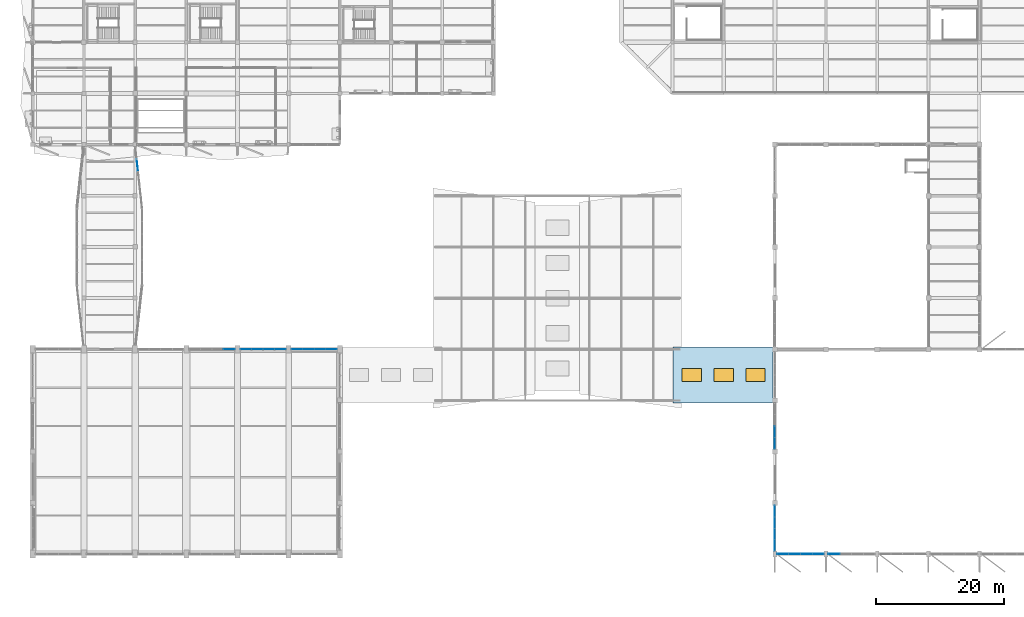
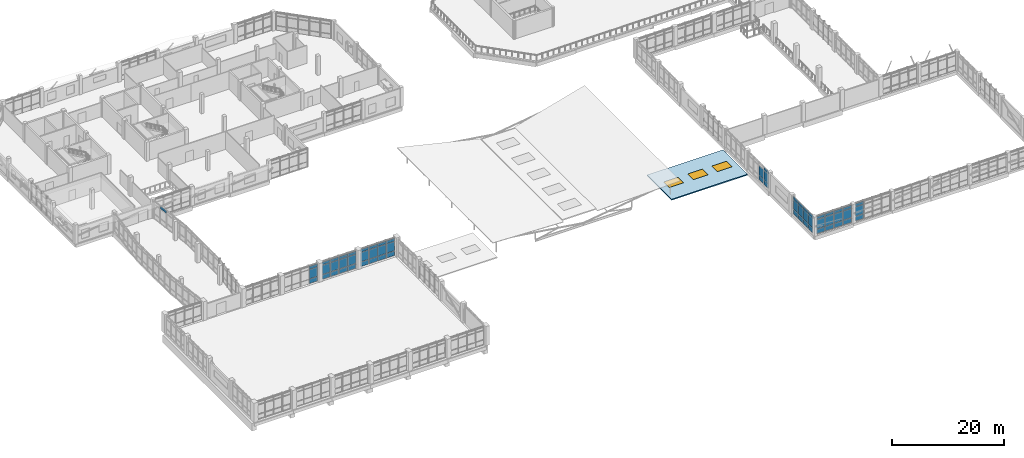
# One storey, part 56 of 84: 60 plates, 3 windows, 1 slab, 3 openings, 8 elements without a shape of their own.
"""IFC4 building model written with IfcOpenShell, lengths in metres."""

from ifc_helpers import new_model, si_unit, direction, frame, origin, origin_2d, place, context, subcontext, project, spatial, polyline, rectangle, outline, extrude, material, layer, layer_set, type_object, element, fill, aggregate, save


model = new_model("IFC4")

# Units and contexts
model_context = context("Model", 3, precision=1e-05, world=origin(), true_north=direction((0.0, 1.0)))
body_context = subcontext(model_context, "Body", "Model", "MODEL_VIEW")
ifc_project = project(units=[si_unit("LENGTHUNIT", "METRE"), si_unit("AREAUNIT", "SQUARE_METRE"), si_unit("VOLUMEUNIT", "CUBIC_METRE"), si_unit("PLANEANGLEUNIT", "RADIAN"), si_unit("MASSUNIT", "GRAM", prefix="KILO")], contexts=[model_context])

# Site, building, storey
site_placement = place(None, origin())
site = spatial("IfcSite", under=ifc_project, at=site_placement, CompositionType="ELEMENT")
building_placement = place(site_placement, origin())
building = spatial("IfcBuilding", under=site, at=building_placement, Name="Tenunan Teduh Sports Hall", CompositionType="ELEMENT")
storey_placement = place(building_placement, frame((0.0, 0.0, 10.800048828125)))
storey = spatial("IfcBuildingStorey", under=building, at=storey_placement, Name="L02", CompositionType="ELEMENT", Elevation=10.800048828125)

# Curtain wall, plates
ifc_material_1 = material(Name="Anodised aluminium", Category="aluminium")
curtain_wall_type_1 = type_object("IfcCurtainWallType", Name="CW-CLER-1", PredefinedType="NOTDEFINED", material=ifc_material_1)
curtain_wall_1_placement = place(storey_placement, origin())
curtain_wall_1 = element("IfcCurtainWall", 1, at=curtain_wall_1_placement, inside=storey, type_object=curtain_wall_type_1, Name="CW-CWM-200-L02-020", PredefinedType="NOTDEFINED")
ifc_material_2 = material(Name="Low-E laminated double glazing", Category="glass")
ifc_layer_1 = layer(ifc_material_2, 0.028076171875)
ifc_layer_set_1 = layer_set([ifc_layer_1], Name="Low-E laminated double glazing")
plate_type_1 = type_object("IfcPlateType", Name="CWP-GLZ-28", PredefinedType="CURTAIN_PANEL", material=ifc_layer_set_1)
plate_1_placement = place(storey_placement, frame((123.242431640625, 14.0, 1.134765625), z_axis=(0.0, 0.0, 1.0), x_axis=(1.0, 0.0, 0.0)))
plate_1 = element("IfcPlate", 2, at=plate_1_placement, type_object=plate_type_1, Name="CW-03 panel 1.2", PredefinedType="CURTAIN_PANEL", context=body_context, shape_type="SweptSolid", body=[
    extrude(rectangle(XDim=1.7451171875, YDim=0.028076171875, at=origin_2d()), origin(), (0.0, 0.0, 1.0), 2.030029296875),
])
plate_2_placement = place(storey_placement, frame((123.242431640625, 14.0, 3.23486328125), z_axis=(0.0, 0.0, 1.0), x_axis=(1.0, 0.0, 0.0)))
plate_2 = element("IfcPlate", 3, at=plate_2_placement, type_object=plate_type_1, Name="CW-03 panel 1.3", PredefinedType="CURTAIN_PANEL", context=body_context, shape_type="SweptSolid", body=[
    extrude(rectangle(XDim=1.7451171875, YDim=0.028076171875, at=origin_2d()), origin(), (0.0, 0.0, 1.0), 0.614990234375),
])
plate_3_placement = place(storey_placement, frame((125.074951171875, 14.0, 1.134765625), z_axis=(0.0, 0.0, 1.0), x_axis=(1.0, 0.0, 0.0)))
plate_3 = element("IfcPlate", 4, at=plate_3_placement, type_object=plate_type_1, Name="CW-03 panel 2.2", PredefinedType="CURTAIN_PANEL", context=body_context, shape_type="SweptSolid", body=[
    extrude(rectangle(XDim=1.780029296875, YDim=0.028076171875, at=origin_2d()), origin(), (0.0, 0.0, 1.0), 2.030029296875),
])
plate_4_placement = place(storey_placement, frame((125.074951171875, 14.0, 3.23486328125), z_axis=(0.0, 0.0, 1.0), x_axis=(1.0, 0.0, 0.0)))
plate_4 = element("IfcPlate", 5, at=plate_4_placement, type_object=plate_type_1, Name="CW-03 panel 2.3", PredefinedType="CURTAIN_PANEL", context=body_context, shape_type="SweptSolid", body=[
    extrude(rectangle(XDim=1.780029296875, YDim=0.028076171875, at=origin_2d()), origin(), (0.0, 0.0, 1.0), 0.614990234375),
])
plate_5_placement = place(storey_placement, frame((126.925048828125, 14.0, 1.134765625), z_axis=(0.0, 0.0, 1.0), x_axis=(1.0, 0.0, 0.0)))
plate_5 = element("IfcPlate", 6, at=plate_5_placement, type_object=plate_type_1, Name="CW-03 panel 3.2", PredefinedType="CURTAIN_PANEL", context=body_context, shape_type="SweptSolid", body=[
    extrude(rectangle(XDim=1.780029296875, YDim=0.028076171875, at=origin_2d()), origin(), (0.0, 0.0, 1.0), 2.030029296875),
])
plate_6_placement = place(storey_placement, frame((126.925048828125, 14.0, 3.23486328125), z_axis=(0.0, 0.0, 1.0), x_axis=(1.0, 0.0, 0.0)))
plate_6 = element("IfcPlate", 7, at=plate_6_placement, type_object=plate_type_1, Name="CW-03 panel 3.3", PredefinedType="CURTAIN_PANEL", context=body_context, shape_type="SweptSolid", body=[
    extrude(rectangle(XDim=1.780029296875, YDim=0.028076171875, at=origin_2d()), origin(), (0.0, 0.0, 1.0), 0.614990234375),
])
plate_7_placement = place(storey_placement, frame((128.757568359375, 14.0, 1.134765625), z_axis=(0.0, 0.0, 1.0), x_axis=(1.0, 0.0, 0.0)))
plate_7 = element("IfcPlate", 8, at=plate_7_placement, type_object=plate_type_1, Name="CW-03 panel 4.2", PredefinedType="CURTAIN_PANEL", context=body_context, shape_type="SweptSolid", body=[
    extrude(rectangle(XDim=1.7451171875, YDim=0.028076171875, at=origin_2d()), origin(), (0.0, 0.0, 1.0), 2.030029296875),
])
plate_8_placement = place(storey_placement, frame((128.757568359375, 14.0, 3.23486328125), z_axis=(0.0, 0.0, 1.0), x_axis=(1.0, 0.0, 0.0)))
plate_8 = element("IfcPlate", 9, at=plate_8_placement, type_object=plate_type_1, Name="CW-03 panel 4.3", PredefinedType="CURTAIN_PANEL", context=body_context, shape_type="SweptSolid", body=[
    extrude(rectangle(XDim=1.7451171875, YDim=0.028076171875, at=origin_2d()), origin(), (0.0, 0.0, 1.0), 0.614990234375),
])

ifc_material_3 = material(Name="Anodised aluminium", Category="aluminium")
curtain_wall_type_2 = type_object("IfcCurtainWallType", Name="CW-UNIT-2", PredefinedType="NOTDEFINED", material=ifc_material_3)
curtain_wall_2_placement = place(storey_placement, origin())
curtain_wall_2 = element("IfcCurtainWall", 10, at=curtain_wall_2_placement, inside=storey, type_object=curtain_wall_type_2, Name="CW-CWM-200-L02-028", PredefinedType="NOTDEFINED")
plate_9_placement = place(storey_placement, frame((122.0, 15.361328125, 1.134765625), z_axis=(0.0, 0.0, 1.0), x_axis=(0.0, 1.0, 0.0)))
plate_9 = element("IfcPlate", 11, at=plate_9_placement, type_object=plate_type_1, Name="CW-02 panel 1.2", PredefinedType="CURTAIN_PANEL", context=body_context, shape_type="SweptSolid", body=[
    extrude(rectangle(XDim=1.6826171875, YDim=0.028076171875, at=origin_2d()), origin(), (0.0, 0.0, 1.0), 2.030029296875),
])
plate_10_placement = place(storey_placement, frame((122.0, 15.361328125, 3.23486328125), z_axis=(0.0, 0.0, 1.0), x_axis=(0.0, 1.0, 0.0)))
plate_10 = element("IfcPlate", 12, at=plate_10_placement, type_object=plate_type_1, Name="CW-02 panel 1.3", PredefinedType="CURTAIN_PANEL", context=body_context, shape_type="SweptSolid", body=[
    extrude(rectangle(XDim=1.6826171875, YDim=0.028076171875, at=origin_2d()), origin(), (0.0, 0.0, 1.0), 0.614990234375),
])
plate_11_placement = place(storey_placement, frame((122.0, 17.13134765625, 1.134765625), z_axis=(0.0, 0.0, 1.0), x_axis=(0.0, 1.0, 0.0)))
plate_11 = element("IfcPlate", 13, at=plate_11_placement, type_object=plate_type_1, Name="CW-02 panel 2.2", PredefinedType="CURTAIN_PANEL", context=body_context, shape_type="SweptSolid", body=[
    extrude(rectangle(XDim=1.717529296875, YDim=0.028076171875, at=origin_2d()), origin(), (0.0, 0.0, 1.0), 2.030029296875),
])
plate_12_placement = place(storey_placement, frame((122.0, 17.13134765625, 3.23486328125), z_axis=(0.0, 0.0, 1.0), x_axis=(0.0, 1.0, 0.0)))
plate_12 = element("IfcPlate", 14, at=plate_12_placement, type_object=plate_type_1, Name="CW-02 panel 2.3", PredefinedType="CURTAIN_PANEL", context=body_context, shape_type="SweptSolid", body=[
    extrude(rectangle(XDim=1.717529296875, YDim=0.028076171875, at=origin_2d()), origin(), (0.0, 0.0, 1.0), 0.614990234375),
])
plate_13_placement = place(storey_placement, frame((122.0, 18.918701171875, 1.134765625), z_axis=(0.0, 0.0, 1.0), x_axis=(0.0, 1.0, 0.0)))
plate_13 = element("IfcPlate", 15, at=plate_13_placement, type_object=plate_type_1, Name="CW-02 panel 3.2", PredefinedType="CURTAIN_PANEL", context=body_context, shape_type="SweptSolid", body=[
    extrude(rectangle(XDim=1.717529296875, YDim=0.028076171875, at=origin_2d()), origin(), (0.0, 0.0, 1.0), 2.030029296875),
])
plate_14_placement = place(storey_placement, frame((122.0, 18.918701171875, 3.23486328125), z_axis=(0.0, 0.0, 1.0), x_axis=(0.0, 1.0, 0.0)))
plate_14 = element("IfcPlate", 16, at=plate_14_placement, type_object=plate_type_1, Name="CW-02 panel 3.3", PredefinedType="CURTAIN_PANEL", context=body_context, shape_type="SweptSolid", body=[
    extrude(rectangle(XDim=1.717529296875, YDim=0.028076171875, at=origin_2d()), origin(), (0.0, 0.0, 1.0), 0.614990234375),
])
plate_15_placement = place(storey_placement, frame((122.0, 20.688720703125, 1.134765625), z_axis=(0.0, 0.0, 1.0), x_axis=(0.0, 1.0, 0.0)))
plate_15 = element("IfcPlate", 17, at=plate_15_placement, type_object=plate_type_1, Name="CW-02 panel 4.2", PredefinedType="CURTAIN_PANEL", context=body_context, shape_type="SweptSolid", body=[
    extrude(rectangle(XDim=1.6826171875, YDim=0.028076171875, at=origin_2d()), origin(), (0.0, 0.0, 1.0), 2.030029296875),
])
plate_16_placement = place(storey_placement, frame((122.0, 20.688720703125, 3.23486328125), z_axis=(0.0, 0.0, 1.0), x_axis=(0.0, 1.0, 0.0)))
plate_16 = element("IfcPlate", 18, at=plate_16_placement, type_object=plate_type_1, Name="CW-02 panel 4.3", PredefinedType="CURTAIN_PANEL", context=body_context, shape_type="SweptSolid", body=[
    extrude(rectangle(XDim=1.6826171875, YDim=0.028076171875, at=origin_2d()), origin(), (0.0, 0.0, 1.0), 0.614990234375),
])

curtain_wall_3_placement = place(storey_placement, origin())
curtain_wall_3 = element("IfcCurtainWall", 19, at=curtain_wall_3_placement, inside=storey, type_object=curtain_wall_type_2, Name="CW-CWM-175-L02-030", PredefinedType="NOTDEFINED")
plate_17_placement = place(storey_placement, frame((122.0, 31.316162109375, 1.13232421875), z_axis=(0.0, 0.0, 1.0), x_axis=(0.0, 1.0, 0.0)))
plate_17 = element("IfcPlate", 20, at=plate_17_placement, type_object=plate_type_1, Name="CW-02 panel 1.2", PredefinedType="CURTAIN_PANEL", context=body_context, shape_type="SweptSolid", body=[
    extrude(rectangle(XDim=1.702392578125, YDim=0.028076171875, at=origin_2d()), origin(), (0.0, 0.0, 1.0), 2.034912109375),
])
plate_18_placement = place(storey_placement, frame((122.0, 31.316162109375, 3.232421875), z_axis=(0.0, 0.0, 1.0), x_axis=(0.0, 1.0, 0.0)))
plate_18 = element("IfcPlate", 21, at=plate_18_placement, type_object=plate_type_1, Name="CW-02 panel 1.3", PredefinedType="CURTAIN_PANEL", context=body_context, shape_type="SweptSolid", body=[
    extrude(rectangle(XDim=1.702392578125, YDim=0.028076171875, at=origin_2d()), origin(), (0.0, 0.0, 1.0), 0.62255859375),
])
plate_19_placement = place(storey_placement, frame((122.0, 33.10009765625, 1.13232421875), z_axis=(0.0, 0.0, 1.0), x_axis=(0.0, 1.0, 0.0)))
plate_19 = element("IfcPlate", 22, at=plate_19_placement, type_object=plate_type_1, Name="CW-02 panel 2.2", PredefinedType="CURTAIN_PANEL", context=body_context, shape_type="SweptSolid", body=[
    extrude(rectangle(XDim=1.735107421875, YDim=0.028076171875, at=origin_2d()), origin(), (0.0, 0.0, 1.0), 2.034912109375),
])

curtain_wall_4_placement = place(storey_placement, origin())
curtain_wall_4 = element("IfcCurtainWall", 23, at=curtain_wall_4_placement, inside=storey, type_object=curtain_wall_type_1, Name="CW-CWM-220-L02-021", PredefinedType="NOTDEFINED")
ifc_material_4 = material(Name="Solar-control laminated glazing", Category="glass")
ifc_layer_2 = layer(ifc_material_4, 0.031982421875)
ifc_layer_set_2 = layer_set([ifc_layer_2], Name="Solar-control laminated glazing")
plate_type_2 = type_object("IfcPlateType", Name="CWP-GLZ-32", PredefinedType="CURTAIN_PANEL", material=ifc_layer_set_2)
plate_20_placement = place(storey_placement, frame((131.24365234375, 14.0, 1.137451171875), z_axis=(0.0, 0.0, 1.0), x_axis=(1.0, 0.0, 0.0)))
plate_20 = element("IfcPlate", 24, at=plate_20_placement, type_object=plate_type_2, Name="CW-03 panel 1.2", PredefinedType="CURTAIN_PANEL", context=body_context, shape_type="SweptSolid", body=[
    extrude(rectangle(XDim=1.737548828125, YDim=0.031982421875, at=origin_2d()), origin(), (0.0, 0.0, 1.0), 2.02490234375),
])
plate_21_placement = place(storey_placement, frame((131.24365234375, 14.0, 3.237548828125), z_axis=(0.0, 0.0, 1.0), x_axis=(1.0, 0.0, 0.0)))
plate_21 = element("IfcPlate", 25, at=plate_21_placement, type_object=plate_type_2, Name="CW-03 panel 1.3", PredefinedType="CURTAIN_PANEL", context=body_context, shape_type="SweptSolid", body=[
    extrude(rectangle(XDim=1.737548828125, YDim=0.031982421875, at=origin_2d()), origin(), (0.0, 0.0, 1.0), 0.607421875),
])

curtain_wall_5_placement = place(storey_placement, origin())
curtain_wall_5 = element("IfcCurtainWall", 26, at=curtain_wall_5_placement, inside=storey, type_object=curtain_wall_type_2, Name="CW-CWM-150-L02-063", PredefinedType="NOTDEFINED")
plate_22_placement = place(storey_placement, frame((36.68505859375, 46.0, 1.1298828125), z_axis=(0.0, 0.0, 1.0), x_axis=(1.0, 0.0, 0.0)))
plate_22 = element("IfcPlate", 27, at=plate_22_placement, type_object=plate_type_2, Name="CW-02 panel 4.2", PredefinedType="CURTAIN_PANEL", context=body_context, shape_type="SweptSolid", body=[
    extrude(rectangle(XDim=1.7099609375, YDim=0.031982421875, at=origin_2d()), origin(), (0.0, 0.0, 1.0), 2.0400390625),
])
plate_23_placement = place(storey_placement, frame((36.68505859375, 46.0, 3.22998046875), z_axis=(0.0, 0.0, 1.0), x_axis=(1.0, 0.0, 0.0)))
plate_23 = element("IfcPlate", 28, at=plate_23_placement, type_object=plate_type_2, Name="CW-02 panel 4.3", PredefinedType="CURTAIN_PANEL", context=body_context, shape_type="SweptSolid", body=[
    extrude(rectangle(XDim=1.7099609375, YDim=0.031982421875, at=origin_2d()), origin(), (0.0, 0.0, 1.0), 0.610107421875),
])

curtain_wall_6_placement = place(storey_placement, origin())
curtain_wall_6 = element("IfcCurtainWall", 29, at=curtain_wall_6_placement, inside=storey, type_object=curtain_wall_type_2, Name="CW-CWM-220-L02-065", PredefinedType="NOTDEFINED")
plate_24_placement = place(storey_placement, frame((39.31884765625, 46.0, 1.137451171875), z_axis=(0.0, 0.0, 1.0), x_axis=(1.0, 0.0, 0.0)))
plate_24 = element("IfcPlate", 30, at=plate_24_placement, type_object=plate_type_2, Name="CW-02 panel 1.2", PredefinedType="CURTAIN_PANEL", context=body_context, shape_type="SweptSolid", body=[
    extrude(rectangle(XDim=1.6875, YDim=0.031982421875, at=origin_2d()), origin(), (0.0, 0.0, 1.0), 2.02490234375),
])
plate_25_placement = place(storey_placement, frame((39.31884765625, 46.0, 3.237548828125), z_axis=(0.0, 0.0, 1.0), x_axis=(1.0, 0.0, 0.0)))
plate_25 = element("IfcPlate", 31, at=plate_25_placement, type_object=plate_type_2, Name="CW-02 panel 1.3", PredefinedType="CURTAIN_PANEL", context=body_context, shape_type="SweptSolid", body=[
    extrude(rectangle(XDim=1.6875, YDim=0.031982421875, at=origin_2d()), origin(), (0.0, 0.0, 1.0), 0.58740234375),
])
plate_26_placement = place(storey_placement, frame((41.10009765625, 46.0, 1.137451171875), z_axis=(0.0, 0.0, 1.0), x_axis=(1.0, 0.0, 0.0)))
plate_26 = element("IfcPlate", 32, at=plate_26_placement, type_object=plate_type_2, Name="CW-02 panel 2.2", PredefinedType="CURTAIN_PANEL", context=body_context, shape_type="SweptSolid", body=[
    extrude(rectangle(XDim=1.72509765625, YDim=0.031982421875, at=origin_2d()), origin(), (0.0, 0.0, 1.0), 2.02490234375),
])
plate_27_placement = place(storey_placement, frame((41.10009765625, 46.0, 3.237548828125), z_axis=(0.0, 0.0, 1.0), x_axis=(1.0, 0.0, 0.0)))
plate_27 = element("IfcPlate", 33, at=plate_27_placement, type_object=plate_type_2, Name="CW-02 panel 2.3", PredefinedType="CURTAIN_PANEL", context=body_context, shape_type="SweptSolid", body=[
    extrude(rectangle(XDim=1.72509765625, YDim=0.031982421875, at=origin_2d()), origin(), (0.0, 0.0, 1.0), 0.58740234375),
])
plate_28_placement = place(storey_placement, frame((42.89990234375, 46.0, 1.137451171875), z_axis=(0.0, 0.0, 1.0), x_axis=(1.0, 0.0, 0.0)))
plate_28 = element("IfcPlate", 34, at=plate_28_placement, type_object=plate_type_2, Name="CW-02 panel 3.2", PredefinedType="CURTAIN_PANEL", context=body_context, shape_type="SweptSolid", body=[
    extrude(rectangle(XDim=1.72509765625, YDim=0.031982421875, at=origin_2d()), origin(), (0.0, 0.0, 1.0), 2.02490234375),
])
plate_29_placement = place(storey_placement, frame((42.89990234375, 46.0, 3.237548828125), z_axis=(0.0, 0.0, 1.0), x_axis=(1.0, 0.0, 0.0)))
plate_29 = element("IfcPlate", 35, at=plate_29_placement, type_object=plate_type_2, Name="CW-02 panel 3.3", PredefinedType="CURTAIN_PANEL", context=body_context, shape_type="SweptSolid", body=[
    extrude(rectangle(XDim=1.72509765625, YDim=0.031982421875, at=origin_2d()), origin(), (0.0, 0.0, 1.0), 0.58740234375),
])
plate_30_placement = place(storey_placement, frame((44.68115234375, 46.0, 1.137451171875), z_axis=(0.0, 0.0, 1.0), x_axis=(1.0, 0.0, 0.0)))
plate_30 = element("IfcPlate", 36, at=plate_30_placement, type_object=plate_type_2, Name="CW-02 panel 4.2", PredefinedType="CURTAIN_PANEL", context=body_context, shape_type="SweptSolid", body=[
    extrude(rectangle(XDim=1.6875, YDim=0.031982421875, at=origin_2d()), origin(), (0.0, 0.0, 1.0), 2.02490234375),
])
plate_31_placement = place(storey_placement, frame((44.68115234375, 46.0, 3.237548828125), z_axis=(0.0, 0.0, 1.0), x_axis=(1.0, 0.0, 0.0)))
plate_31 = element("IfcPlate", 37, at=plate_31_placement, type_object=plate_type_2, Name="CW-02 panel 4.3", PredefinedType="CURTAIN_PANEL", context=body_context, shape_type="SweptSolid", body=[
    extrude(rectangle(XDim=1.6875, YDim=0.031982421875, at=origin_2d()), origin(), (0.0, 0.0, 1.0), 0.58740234375),
])

curtain_wall_7_placement = place(storey_placement, origin())
curtain_wall_7 = element("IfcCurtainWall", 38, at=curtain_wall_7_placement, inside=storey, type_object=curtain_wall_type_2, Name="CW-CWM-150-L02-067", PredefinedType="NOTDEFINED")
plate_32_placement = place(storey_placement, frame((47.31494140625, 46.0, 1.1298828125), z_axis=(0.0, 0.0, 1.0), x_axis=(1.0, 0.0, 0.0)))
plate_32 = element("IfcPlate", 39, at=plate_32_placement, type_object=plate_type_2, Name="CW-02 panel 1.2", PredefinedType="CURTAIN_PANEL", context=body_context, shape_type="SweptSolid", body=[
    extrude(rectangle(XDim=1.7099609375, YDim=0.031982421875, at=origin_2d()), origin(), (0.0, 0.0, 1.0), 2.0400390625),
])
plate_33_placement = place(storey_placement, frame((47.31494140625, 46.0, 3.22998046875), z_axis=(0.0, 0.0, 1.0), x_axis=(1.0, 0.0, 0.0)))
plate_33 = element("IfcPlate", 40, at=plate_33_placement, type_object=plate_type_2, Name="CW-02 panel 1.3", PredefinedType="CURTAIN_PANEL", context=body_context, shape_type="SweptSolid", body=[
    extrude(rectangle(XDim=1.7099609375, YDim=0.031982421875, at=origin_2d()), origin(), (0.0, 0.0, 1.0), 0.610107421875),
])
plate_34_placement = place(storey_placement, frame((49.10009765625, 46.0, 1.1298828125), z_axis=(0.0, 0.0, 1.0), x_axis=(1.0, 0.0, 0.0)))
plate_34 = element("IfcPlate", 41, at=plate_34_placement, type_object=plate_type_2, Name="CW-02 panel 2.2", PredefinedType="CURTAIN_PANEL", context=body_context, shape_type="SweptSolid", body=[
    extrude(rectangle(XDim=1.739990234375, YDim=0.031982421875, at=origin_2d()), origin(), (0.0, 0.0, 1.0), 2.0400390625),
])
plate_35_placement = place(storey_placement, frame((49.10009765625, 46.0, 3.22998046875), z_axis=(0.0, 0.0, 1.0), x_axis=(1.0, 0.0, 0.0)))
plate_35 = element("IfcPlate", 42, at=plate_35_placement, type_object=plate_type_2, Name="CW-02 panel 2.3", PredefinedType="CURTAIN_PANEL", context=body_context, shape_type="SweptSolid", body=[
    extrude(rectangle(XDim=1.739990234375, YDim=0.031982421875, at=origin_2d()), origin(), (0.0, 0.0, 1.0), 0.610107421875),
])
plate_36_placement = place(storey_placement, frame((50.89990234375, 46.0, 1.1298828125), z_axis=(0.0, 0.0, 1.0), x_axis=(1.0, 0.0, 0.0)))
plate_36 = element("IfcPlate", 43, at=plate_36_placement, type_object=plate_type_2, Name="CW-02 panel 3.2", PredefinedType="CURTAIN_PANEL", context=body_context, shape_type="SweptSolid", body=[
    extrude(rectangle(XDim=1.739990234375, YDim=0.031982421875, at=origin_2d()), origin(), (0.0, 0.0, 1.0), 2.0400390625),
])
plate_37_placement = place(storey_placement, frame((50.89990234375, 46.0, 3.22998046875), z_axis=(0.0, 0.0, 1.0), x_axis=(1.0, 0.0, 0.0)))
plate_37 = element("IfcPlate", 44, at=plate_37_placement, type_object=plate_type_2, Name="CW-02 panel 3.3", PredefinedType="CURTAIN_PANEL", context=body_context, shape_type="SweptSolid", body=[
    extrude(rectangle(XDim=1.739990234375, YDim=0.031982421875, at=origin_2d()), origin(), (0.0, 0.0, 1.0), 0.610107421875),
])
plate_38_placement = place(storey_placement, frame((52.68505859375, 46.0, 1.1298828125), z_axis=(0.0, 0.0, 1.0), x_axis=(1.0, 0.0, 0.0)))
plate_38 = element("IfcPlate", 45, at=plate_38_placement, type_object=plate_type_2, Name="CW-02 panel 4.2", PredefinedType="CURTAIN_PANEL", context=body_context, shape_type="SweptSolid", body=[
    extrude(rectangle(XDim=1.7099609375, YDim=0.031982421875, at=origin_2d()), origin(), (0.0, 0.0, 1.0), 2.0400390625),
])
plate_39_placement = place(storey_placement, frame((52.68505859375, 46.0, 3.22998046875), z_axis=(0.0, 0.0, 1.0), x_axis=(1.0, 0.0, 0.0)))
plate_39 = element("IfcPlate", 46, at=plate_39_placement, type_object=plate_type_2, Name="CW-02 panel 4.3", PredefinedType="CURTAIN_PANEL", context=body_context, shape_type="SweptSolid", body=[
    extrude(rectangle(XDim=1.7099609375, YDim=0.031982421875, at=origin_2d()), origin(), (0.0, 0.0, 1.0), 0.610107421875),
])

# Curtain wall, plate
ifc_material_5 = material(Name="Anodised aluminium", Category="aluminium")
curtain_wall_type_3 = type_object("IfcCurtainWallType", Name="CW-BRIDGE-1", PredefinedType="NOTDEFINED", material=ifc_material_5)
curtain_wall_8_placement = place(storey_placement, origin())
curtain_wall_8 = element("IfcCurtainWall", 47, at=curtain_wall_8_placement, inside=storey, type_object=curtain_wall_type_3, Name="CW-CWM-220-L02-189", PredefinedType="NOTDEFINED")
plate_40_placement = place(storey_placement, frame((22.356689453125, 74.758056640625, 3.237548828125), z_axis=(0.0, 0.0, 1.0), x_axis=(-0.109340987788, 0.994004299985, 0.0)))
plate_40 = element("IfcPlate", 48, at=plate_40_placement, type_object=plate_type_2, Name="CW-05 panel 4.3", PredefinedType="CURTAIN_PANEL", context=body_context, shape_type="SweptSolid", body=[
    extrude(rectangle(XDim=1.867431640625, YDim=0.031982421875, at=origin_2d()), origin(), (0.0, 0.0, 1.0), 0.5673828125),
])
aggregate(curtain_wall_8, [plate_40])

# Plate
ifc_material_6 = material(Name="Insulated aluminium spandrel panel", Category="aluminium")
ifc_layer_3 = layer(ifc_material_6, 0.044921875)
ifc_layer_set_3 = layer_set([ifc_layer_3], Name="Insulated aluminium spandrel panel")
plate_type_3 = type_object("IfcPlateType", Name="CWP-SPN-45", PredefinedType="CURTAIN_PANEL", material=ifc_layer_set_3)
plate_41_placement = place(storey_placement, frame((123.242431640625, 14.0, 0.06982421875), z_axis=(0.0, 0.0, 1.0), x_axis=(1.0, 0.0, 0.0)))
plate_41 = element("IfcPlate", 49, at=plate_41_placement, type_object=plate_type_3, Name="CW-03 panel 1.1", PredefinedType="CURTAIN_PANEL", context=body_context, shape_type="SweptSolid", body=[
    extrude(rectangle(XDim=1.7451171875, YDim=0.028076171875, at=origin_2d()), origin(), (0.0, 0.0, 1.0), 0.9951171875),
])

plate_42_placement = place(storey_placement, frame((125.074951171875, 14.0, 0.06982421875), z_axis=(0.0, 0.0, 1.0), x_axis=(1.0, 0.0, 0.0)))
plate_42 = element("IfcPlate", 50, at=plate_42_placement, type_object=plate_type_3, Name="CW-03 panel 2.1", PredefinedType="CURTAIN_PANEL", context=body_context, shape_type="SweptSolid", body=[
    extrude(rectangle(XDim=1.780029296875, YDim=0.028076171875, at=origin_2d()), origin(), (0.0, 0.0, 1.0), 0.9951171875),
])

plate_43_placement = place(storey_placement, frame((126.925048828125, 14.0, 0.06982421875), z_axis=(0.0, 0.0, 1.0), x_axis=(1.0, 0.0, 0.0)))
plate_43 = element("IfcPlate", 51, at=plate_43_placement, type_object=plate_type_3, Name="CW-03 panel 3.1", PredefinedType="CURTAIN_PANEL", context=body_context, shape_type="SweptSolid", body=[
    extrude(rectangle(XDim=1.780029296875, YDim=0.028076171875, at=origin_2d()), origin(), (0.0, 0.0, 1.0), 0.9951171875),
])

plate_44_placement = place(storey_placement, frame((128.757568359375, 14.0, 0.06982421875), z_axis=(0.0, 0.0, 1.0), x_axis=(1.0, 0.0, 0.0)))
plate_44 = element("IfcPlate", 52, at=plate_44_placement, type_object=plate_type_3, Name="CW-03 panel 4.1", PredefinedType="CURTAIN_PANEL", context=body_context, shape_type="SweptSolid", body=[
    extrude(rectangle(XDim=1.7451171875, YDim=0.028076171875, at=origin_2d()), origin(), (0.0, 0.0, 1.0), 0.9951171875),
])

aggregate(curtain_wall_1, [plate_41, plate_1, plate_2, plate_42, plate_3, plate_4, plate_43, plate_5, plate_6, plate_44, plate_7, plate_8])

plate_45_placement = place(storey_placement, frame((131.24365234375, 14.0, 0.07470703125), z_axis=(0.0, 0.0, 1.0), x_axis=(1.0, 0.0, 0.0)))
plate_45 = element("IfcPlate", 53, at=plate_45_placement, type_object=plate_type_3, Name="CW-03 panel 1.1", PredefinedType="CURTAIN_PANEL", context=body_context, shape_type="SweptSolid", body=[
    extrude(rectangle(XDim=1.737548828125, YDim=0.031982421875, at=origin_2d()), origin(), (0.0, 0.0, 1.0), 0.987548828125),
])

aggregate(curtain_wall_4, [plate_45, plate_20, plate_21])

plate_46_placement = place(storey_placement, frame((122.0, 15.361328125, 0.06982421875), z_axis=(0.0, 0.0, 1.0), x_axis=(0.0, 1.0, 0.0)))
plate_46 = element("IfcPlate", 54, at=plate_46_placement, type_object=plate_type_3, Name="CW-02 panel 1.1", PredefinedType="CURTAIN_PANEL", context=body_context, shape_type="SweptSolid", body=[
    extrude(rectangle(XDim=1.6826171875, YDim=0.028076171875, at=origin_2d()), origin(), (0.0, 0.0, 1.0), 0.9951171875),
])

plate_47_placement = place(storey_placement, frame((122.0, 17.13134765625, 0.06982421875), z_axis=(0.0, 0.0, 1.0), x_axis=(0.0, 1.0, 0.0)))
plate_47 = element("IfcPlate", 55, at=plate_47_placement, type_object=plate_type_3, Name="CW-02 panel 2.1", PredefinedType="CURTAIN_PANEL", context=body_context, shape_type="SweptSolid", body=[
    extrude(rectangle(XDim=1.717529296875, YDim=0.028076171875, at=origin_2d()), origin(), (0.0, 0.0, 1.0), 0.9951171875),
])

plate_48_placement = place(storey_placement, frame((122.0, 18.918701171875, 0.06982421875), z_axis=(0.0, 0.0, 1.0), x_axis=(0.0, 1.0, 0.0)))
plate_48 = element("IfcPlate", 56, at=plate_48_placement, type_object=plate_type_3, Name="CW-02 panel 3.1", PredefinedType="CURTAIN_PANEL", context=body_context, shape_type="SweptSolid", body=[
    extrude(rectangle(XDim=1.717529296875, YDim=0.028076171875, at=origin_2d()), origin(), (0.0, 0.0, 1.0), 0.9951171875),
])

plate_49_placement = place(storey_placement, frame((122.0, 20.688720703125, 0.06982421875), z_axis=(0.0, 0.0, 1.0), x_axis=(0.0, 1.0, 0.0)))
plate_49 = element("IfcPlate", 57, at=plate_49_placement, type_object=plate_type_3, Name="CW-02 panel 4.1", PredefinedType="CURTAIN_PANEL", context=body_context, shape_type="SweptSolid", body=[
    extrude(rectangle(XDim=1.6826171875, YDim=0.028076171875, at=origin_2d()), origin(), (0.0, 0.0, 1.0), 0.9951171875),
])

aggregate(curtain_wall_2, [plate_46, plate_9, plate_10, plate_47, plate_11, plate_12, plate_48, plate_13, plate_14, plate_49, plate_15, plate_16])

plate_50_placement = place(storey_placement, frame((122.0, 31.316162109375, 0.06494140625), z_axis=(0.0, 0.0, 1.0), x_axis=(0.0, 1.0, 0.0)))
plate_50 = element("IfcPlate", 58, at=plate_50_placement, type_object=plate_type_3, Name="CW-02 panel 1.1", PredefinedType="CURTAIN_PANEL", context=body_context, shape_type="SweptSolid", body=[
    extrude(rectangle(XDim=1.702392578125, YDim=0.028076171875, at=origin_2d()), origin(), (0.0, 0.0, 1.0), 1.00244140625),
])

plate_51_placement = place(storey_placement, frame((122.0, 33.10009765625, 0.06494140625), z_axis=(0.0, 0.0, 1.0), x_axis=(0.0, 1.0, 0.0)))
plate_51 = element("IfcPlate", 59, at=plate_51_placement, type_object=plate_type_3, Name="CW-02 panel 2.1", PredefinedType="CURTAIN_PANEL", context=body_context, shape_type="SweptSolid", body=[
    extrude(rectangle(XDim=1.735107421875, YDim=0.028076171875, at=origin_2d()), origin(), (0.0, 0.0, 1.0), 1.00244140625),
])

aggregate(curtain_wall_3, [plate_50, plate_17, plate_18, plate_51, plate_19])

plate_52_placement = place(storey_placement, frame((36.68505859375, 46.0, 0.06005859375), z_axis=(0.0, 0.0, 1.0), x_axis=(1.0, 0.0, 0.0)))
plate_52 = element("IfcPlate", 60, at=plate_52_placement, type_object=plate_type_3, Name="CW-02 panel 4.1", PredefinedType="CURTAIN_PANEL", context=body_context, shape_type="SweptSolid", body=[
    extrude(rectangle(XDim=1.7099609375, YDim=0.031982421875, at=origin_2d()), origin(), (0.0, 0.0, 1.0), 1.010009765625),
])

aggregate(curtain_wall_5, [plate_52, plate_22, plate_23])

plate_53_placement = place(storey_placement, frame((39.31884765625, 46.0, 0.07470703125), z_axis=(0.0, 0.0, 1.0), x_axis=(1.0, 0.0, 0.0)))
plate_53 = element("IfcPlate", 61, at=plate_53_placement, type_object=plate_type_3, Name="CW-02 panel 1.1", PredefinedType="CURTAIN_PANEL", context=body_context, shape_type="SweptSolid", body=[
    extrude(rectangle(XDim=1.6875, YDim=0.031982421875, at=origin_2d()), origin(), (0.0, 0.0, 1.0), 0.987548828125),
])

plate_54_placement = place(storey_placement, frame((41.10009765625, 46.0, 0.07470703125), z_axis=(0.0, 0.0, 1.0), x_axis=(1.0, 0.0, 0.0)))
plate_54 = element("IfcPlate", 62, at=plate_54_placement, type_object=plate_type_3, Name="CW-02 panel 2.1", PredefinedType="CURTAIN_PANEL", context=body_context, shape_type="SweptSolid", body=[
    extrude(rectangle(XDim=1.72509765625, YDim=0.031982421875, at=origin_2d()), origin(), (0.0, 0.0, 1.0), 0.987548828125),
])

plate_55_placement = place(storey_placement, frame((42.89990234375, 46.0, 0.07470703125), z_axis=(0.0, 0.0, 1.0), x_axis=(1.0, 0.0, 0.0)))
plate_55 = element("IfcPlate", 63, at=plate_55_placement, type_object=plate_type_3, Name="CW-02 panel 3.1", PredefinedType="CURTAIN_PANEL", context=body_context, shape_type="SweptSolid", body=[
    extrude(rectangle(XDim=1.72509765625, YDim=0.031982421875, at=origin_2d()), origin(), (0.0, 0.0, 1.0), 0.987548828125),
])

plate_56_placement = place(storey_placement, frame((44.68115234375, 46.0, 0.07470703125), z_axis=(0.0, 0.0, 1.0), x_axis=(1.0, 0.0, 0.0)))
plate_56 = element("IfcPlate", 64, at=plate_56_placement, type_object=plate_type_3, Name="CW-02 panel 4.1", PredefinedType="CURTAIN_PANEL", context=body_context, shape_type="SweptSolid", body=[
    extrude(rectangle(XDim=1.6875, YDim=0.031982421875, at=origin_2d()), origin(), (0.0, 0.0, 1.0), 0.987548828125),
])

aggregate(curtain_wall_6, [plate_53, plate_24, plate_25, plate_54, plate_26, plate_27, plate_55, plate_28, plate_29, plate_56, plate_30, plate_31])

plate_57_placement = place(storey_placement, frame((47.31494140625, 46.0, 0.06005859375), z_axis=(0.0, 0.0, 1.0), x_axis=(1.0, 0.0, 0.0)))
plate_57 = element("IfcPlate", 65, at=plate_57_placement, type_object=plate_type_3, Name="CW-02 panel 1.1", PredefinedType="CURTAIN_PANEL", context=body_context, shape_type="SweptSolid", body=[
    extrude(rectangle(XDim=1.7099609375, YDim=0.031982421875, at=origin_2d()), origin(), (0.0, 0.0, 1.0), 1.010009765625),
])

plate_58_placement = place(storey_placement, frame((49.10009765625, 46.0, 0.06005859375), z_axis=(0.0, 0.0, 1.0), x_axis=(1.0, 0.0, 0.0)))
plate_58 = element("IfcPlate", 66, at=plate_58_placement, type_object=plate_type_3, Name="CW-02 panel 2.1", PredefinedType="CURTAIN_PANEL", context=body_context, shape_type="SweptSolid", body=[
    extrude(rectangle(XDim=1.739990234375, YDim=0.031982421875, at=origin_2d()), origin(), (0.0, 0.0, 1.0), 1.010009765625),
])

plate_59_placement = place(storey_placement, frame((50.89990234375, 46.0, 0.06005859375), z_axis=(0.0, 0.0, 1.0), x_axis=(1.0, 0.0, 0.0)))
plate_59 = element("IfcPlate", 67, at=plate_59_placement, type_object=plate_type_3, Name="CW-02 panel 3.1", PredefinedType="CURTAIN_PANEL", context=body_context, shape_type="SweptSolid", body=[
    extrude(rectangle(XDim=1.739990234375, YDim=0.031982421875, at=origin_2d()), origin(), (0.0, 0.0, 1.0), 1.010009765625),
])

plate_60_placement = place(storey_placement, frame((52.68505859375, 46.0, 0.06005859375), z_axis=(0.0, 0.0, 1.0), x_axis=(1.0, 0.0, 0.0)))
plate_60 = element("IfcPlate", 68, at=plate_60_placement, type_object=plate_type_3, Name="CW-02 panel 4.1", PredefinedType="CURTAIN_PANEL", context=body_context, shape_type="SweptSolid", body=[
    extrude(rectangle(XDim=1.7099609375, YDim=0.031982421875, at=origin_2d()), origin(), (0.0, 0.0, 1.0), 1.010009765625),
])

aggregate(curtain_wall_7, [plate_57, plate_32, plate_33, plate_58, plate_34, plate_35, plate_59, plate_36, plate_37, plate_60, plate_38, plate_39])

# Slab, openings, windows
ifc_material_7 = material(Name="Concrete C40/50", Category="concrete")
ifc_layer_4 = layer(ifc_material_7, 0.22998046875)
ifc_layer_set_4 = layer_set([ifc_layer_4], Name="Concrete C40/50")
slab_type = type_object("IfcSlabType", Name="SLB-ROOF-230", PredefinedType="ROOF", material=ifc_layer_set_4)
slab_placement = place(storey_placement, frame((0.0, 0.0, -1.179931640625)))
slab = element("IfcSlab", 69, at=slab_placement, inside=storey, type_object=slab_type, Name="SL-L01-LINK-E-RF", PredefinedType="ROOF", context=body_context, shape_type="SweptSolid", body=[
    extrude(outline(polyline([(106.050048828125, 37.60009765625), (121.75, 37.60009765625), (121.75, 46.39990234375), (106.050048828125, 46.39990234375), (106.050048828125, 37.60009765625)])), origin(), (0.0, 0.0, 1.0), 0.22998046875),
])
opening_1_placement = place(slab_placement, frame((109.0, 42.0, 0.0)))
opening_1 = element("IfcOpeningElement", 70, at=opening_1_placement, cuts=slab, Name="Opening SK-02", PredefinedType="OPENING", context=body_context, shape_type="SweptSolid", body=[
    extrude(rectangle(XDim=3.0, YDim=2.0, at=origin_2d()), origin(), (0.0, 0.0, 1.0), 0.22998046875),
])
opening_2_placement = place(slab_placement, frame((114.0, 42.0, 0.0)))
opening_2 = element("IfcOpeningElement", 71, at=opening_2_placement, cuts=slab, Name="Opening SK-02", PredefinedType="OPENING", context=body_context, shape_type="SweptSolid", body=[
    extrude(rectangle(XDim=3.0, YDim=2.0, at=origin_2d()), origin(), (0.0, 0.0, 1.0), 0.22998046875),
])
opening_3_placement = place(slab_placement, frame((119.0, 42.0, 0.0)))
opening_3 = element("IfcOpeningElement", 72, at=opening_3_placement, cuts=slab, Name="Opening SK-02", PredefinedType="OPENING", context=body_context, shape_type="SweptSolid", body=[
    extrude(rectangle(XDim=3.0, YDim=2.0, at=origin_2d()), origin(), (0.0, 0.0, 1.0), 0.22998046875),
])
ifc_material_8 = material(Name="Thermally broken aluminium and Low-E glazing", Category="aluminium")
window_type = type_object("IfcWindowType", Name="SKY-02", PartitioningType="SINGLE_PANEL", PredefinedType="SKYLIGHT", material=ifc_material_8)
window_1_placement = place(opening_1_placement, frame((0.0, 0.0, 0.179931640625)))
window_1 = element("IfcWindow", 73, at=window_1_placement, inside=storey, type_object=window_type, Name="SKY-L02-04", OverallHeight=2.0, OverallWidth=3.0, PartitioningType="SINGLE_PANEL", PredefinedType="SKYLIGHT", context=body_context, shape_type="SweptSolid", body=[
    extrude(rectangle(XDim=3.0, YDim=2.0, at=origin_2d()), origin(), (0.0, 0.0, 1.0), 0.050048828125),
])
fill(opening_1, window_1)
window_2_placement = place(opening_2_placement, frame((0.0, 0.0, 0.179931640625)))
window_2 = element("IfcWindow", 74, at=window_2_placement, inside=storey, type_object=window_type, Name="SKY-L02-05", OverallHeight=2.0, OverallWidth=3.0, PartitioningType="SINGLE_PANEL", PredefinedType="SKYLIGHT", context=body_context, shape_type="SweptSolid", body=[
    extrude(rectangle(XDim=3.0, YDim=2.0, at=origin_2d()), origin(), (0.0, 0.0, 1.0), 0.050048828125),
])
fill(opening_2, window_2)
window_3_placement = place(opening_3_placement, frame((0.0, 0.0, 0.179931640625)))
window_3 = element("IfcWindow", 75, at=window_3_placement, inside=storey, type_object=window_type, Name="SKY-L02-06", OverallHeight=2.0, OverallWidth=3.0, PartitioningType="SINGLE_PANEL", PredefinedType="SKYLIGHT", context=body_context, shape_type="SweptSolid", body=[
    extrude(rectangle(XDim=3.0, YDim=2.0, at=origin_2d()), origin(), (0.0, 0.0, 1.0), 0.050048828125),
])
fill(opening_3, window_3)

save(model, "model.ifc")
